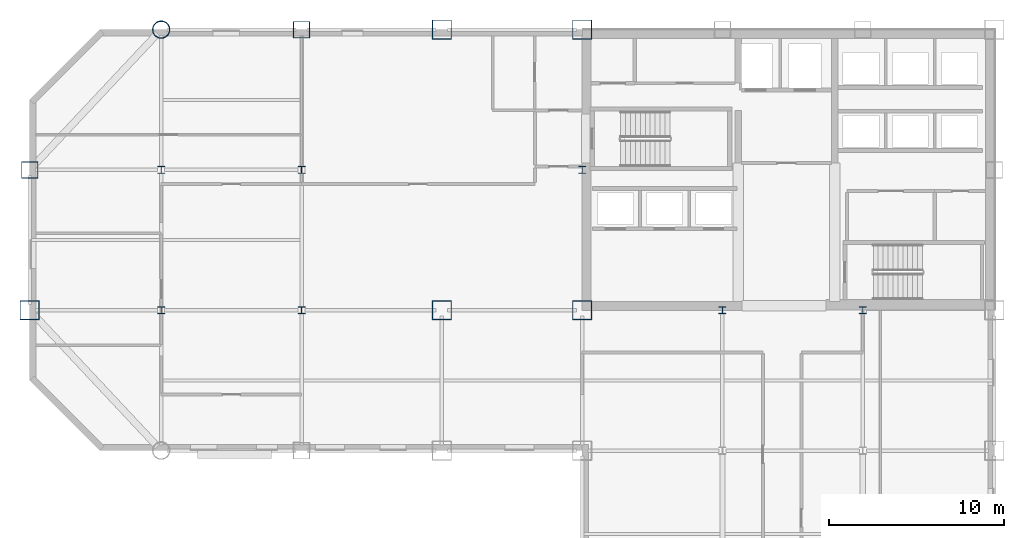
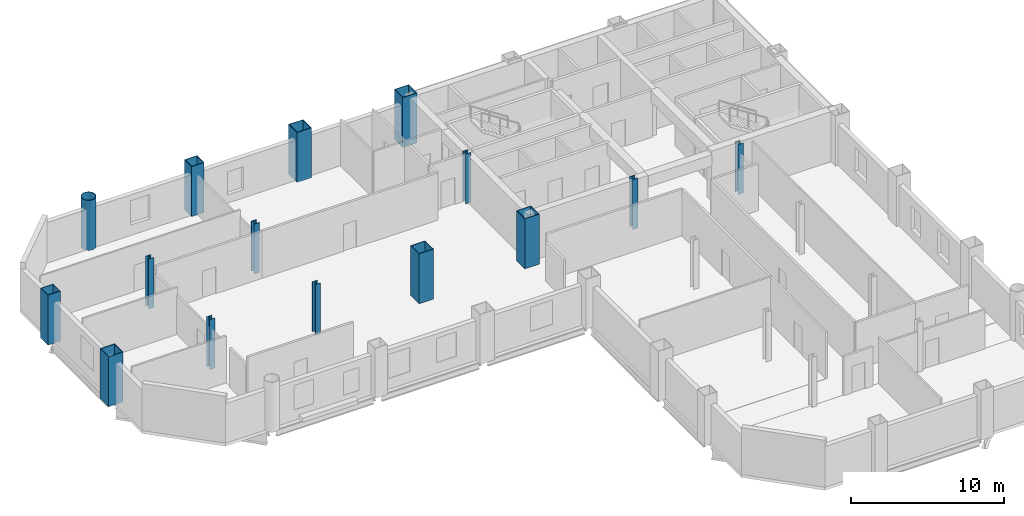
# One storey, part 3 of 9: 15 columns.
"""IFC4 building model written with IfcOpenShell, lengths in metres."""

from ifc_helpers import new_model, si_unit, direction, frame, origin, origin_2d, place, context, subcontext, project, spatial, hollow_rectangle, hollow_circle, i_section, extrude, material, material_profile, profile_set, type_object, element, save


model = new_model("IFC4")

# Units and contexts
model_context = context("Model", 3, precision=1e-05, world=origin(), true_north=direction((0.0, 1.0)))
body_context = subcontext(model_context, "Body", "Model", "MODEL_VIEW")
ifc_project = project(units=[si_unit("LENGTHUNIT", "METRE"), si_unit("AREAUNIT", "SQUARE_METRE"), si_unit("VOLUMEUNIT", "CUBIC_METRE"), si_unit("PLANEANGLEUNIT", "RADIAN"), si_unit("MASSUNIT", "GRAM", prefix="KILO")], contexts=[model_context])

# Site, building, storey
site_placement = place(None, origin())
site = spatial("IfcSite", under=ifc_project, at=site_placement, CompositionType="ELEMENT")
building_placement = place(site_placement, origin())
building = spatial("IfcBuilding", under=site, at=building_placement, Name="Qianrong Seaharbour Tower", CompositionType="ELEMENT")
storey_placement = place(building_placement, frame((0.0, 0.0, 163.0)))
storey = spatial("IfcBuildingStorey", under=building, at=storey_placement, Name="L39", CompositionType="ELEMENT", Elevation=163.0)

# Columns
ifc_material = material(Name="Structural steel SN490B", Category="steel")
ifc_material_profile_1 = material_profile(ifc_material, hollow_rectangle(XDim=1.10009765625, YDim=1.10009765625, WallThickness=0.0400390625, at=origin_2d()), Name="BOX1100x1100x40")
ifc_profile_set_1 = profile_set([ifc_material_profile_1], Name="Structural steel SN490B")
column_type_1 = type_object("IfcColumnType", Name="COL-CFT-1100", PredefinedType="COLUMN", material=ifc_profile_set_1)
for number, where, z_axis, x_axis, name in (
    (1, (9.0, 36.0, 0.0), (0.0, 0.0, 1.0), (1.0, 0.0, 0.0), "L39 Column MC-3 at G2/GF"),
    (2, (32.5, 36.0, 0.0), (0.0, 0.0, 1.0), (1.0, 0.0, 0.0), "L39 Column MC-3 at G5/GF"),
    (3, (32.5, 52.0, 0.0), (0.0, 0.0, 1.0), (1.0, 0.0, 0.0), "L39 Column MC-3 at G5/GH"),
    (4, (40.5, 36.0, 0.0), (0.0, 0.0, 1.0), (1.0, 0.0, 0.0), "L39 Column MC-3 at G6/GF"),
    (5, (40.5, 52.0, 0.0), (0.0, 0.0, 1.0), (1.0, 0.0, 0.0), "L39 Column MC-3 at G6/GH"),
):
    element("IfcColumn", number, at=place(storey_placement, frame(where, z_axis=z_axis, x_axis=x_axis)), inside=storey, type_object=column_type_1, Name=name, PredefinedType="COLUMN", context=body_context, shape_type="SweptSolid", body=[
        extrude(hollow_rectangle(XDim=1.10009765625, YDim=1.10009765625, WallThickness=0.0400390625, at=origin_2d()), origin(), (0.0, 0.0, 1.0), 4.0),
    ])
ifc_material_profile_2 = material_profile(ifc_material, hollow_circle(Radius=0.5, WallThickness=0.035888671875, at=origin_2d()), Name="CHS1000x36")
ifc_profile_set_2 = profile_set([ifc_material_profile_2], Name="Structural steel SN490B")
column_type_2 = type_object("IfcColumnType", Name="COL-CHS-1000", PredefinedType="COLUMN", material=ifc_profile_set_2)
column_placement = place(storey_placement, frame((16.5, 52.0, 0.0), z_axis=(0.0, 0.0, 1.0), x_axis=(1.0, 0.0, 0.0)))
element("IfcColumn", 6, at=column_placement, inside=storey, type_object=column_type_2, Name="L39 Column CC-2 at G3/GH", PredefinedType="COLUMN", context=body_context, shape_type="SweptSolid", body=[
    extrude(hollow_circle(Radius=0.5, WallThickness=0.035888671875, at=origin_2d()), origin(), (0.0, 0.0, 1.0), 4.0),
])
ifc_material_profile_3 = material_profile(ifc_material, i_section(OverallWidth=0.39990234375, OverallDepth=0.39990234375, WebThickness=0.012939453125, FlangeThickness=0.02099609375, FilletRadius=0.02197265625, at=origin_2d()), Name="H400x400x13x21")
ifc_profile_set_3 = profile_set([ifc_material_profile_3], Name="Structural steel SN490B")
column_type_3 = type_object("IfcColumnType", Name="COL-INT-H400", PredefinedType="COLUMN", material=ifc_profile_set_3)
for number, where, z_axis, x_axis, name in (
    (7, (16.5, 36.0, 0.0), (0.0, 0.0, 1.0), (1.0, 0.0, 0.0), "L39 Column IC-3 at G3/GF"),
    (8, (16.5, 44.0, 0.0), (0.0, 0.0, 1.0), (1.0, 0.0, 0.0), "L39 Column IC-3 at G3/GG"),
    (9, (24.5, 36.0, 0.0), (0.0, 0.0, 1.0), (1.0, 0.0, 0.0), "L39 Column IC-3 at G4/GF"),
    (10, (24.5, 44.0, 0.0), (0.0, 0.0, 1.0), (1.0, 0.0, 0.0), "L39 Column IC-3 at G4/GG"),
    (11, (40.5, 44.0, 0.0), (0.0, 0.0, 1.0), (1.0, 0.0, 0.0), "L39 Column IC-3 at G6/GG"),
    (12, (48.5, 36.0, 0.0), (0.0, 0.0, 1.0), (1.0, 0.0, 0.0), "L39 Column IC-3 at G7/GF"),
    (13, (56.5, 36.0, 0.0), (0.0, 0.0, 1.0), (1.0, 0.0, 0.0), "L39 Column IC-3 at G8/GF"),
):
    element("IfcColumn", number, at=place(storey_placement, frame(where, z_axis=z_axis, x_axis=x_axis)), inside=storey, type_object=column_type_3, Name=name, PredefinedType="COLUMN", context=body_context, shape_type="SweptSolid", body=[
        extrude(i_section(OverallWidth=0.39990234375, OverallDepth=0.39990234375, WebThickness=0.012939453125, FlangeThickness=0.02099609375, FilletRadius=0.02197265625, at=origin_2d()), origin(), (0.0, 0.0, 1.0), 4.0),
    ])
ifc_material_profile_4 = material_profile(ifc_material, hollow_rectangle(XDim=0.949951171875, YDim=0.949951171875, WallThickness=0.035888671875, at=origin_2d()), Name="BOX950x950x36")
ifc_profile_set_4 = profile_set([ifc_material_profile_4], Name="Structural steel SN490B")
column_type_4 = type_object("IfcColumnType", Name="COL-PER-950", PredefinedType="COLUMN", material=ifc_profile_set_4)
for number, where, z_axis, x_axis, name in (
    (14, (9.0, 44.0, 0.0), (0.0, 0.0, 1.0), (1.0, 0.0, 0.0), "L39 Column PC-2 at G2/GG"),
    (15, (24.5, 52.0, 0.0), (0.0, 0.0, 1.0), (1.0, 0.0, 0.0), "L39 Column PC-2 at G4/GH"),
):
    element("IfcColumn", number, at=place(storey_placement, frame(where, z_axis=z_axis, x_axis=x_axis)), inside=storey, type_object=column_type_4, Name=name, PredefinedType="COLUMN", context=body_context, shape_type="SweptSolid", body=[
        extrude(hollow_rectangle(XDim=0.949951171875, YDim=0.949951171875, WallThickness=0.035888671875, at=origin_2d()), origin(), (0.0, 0.0, 1.0), 4.0),
    ])

save(model, "model.ifc")
